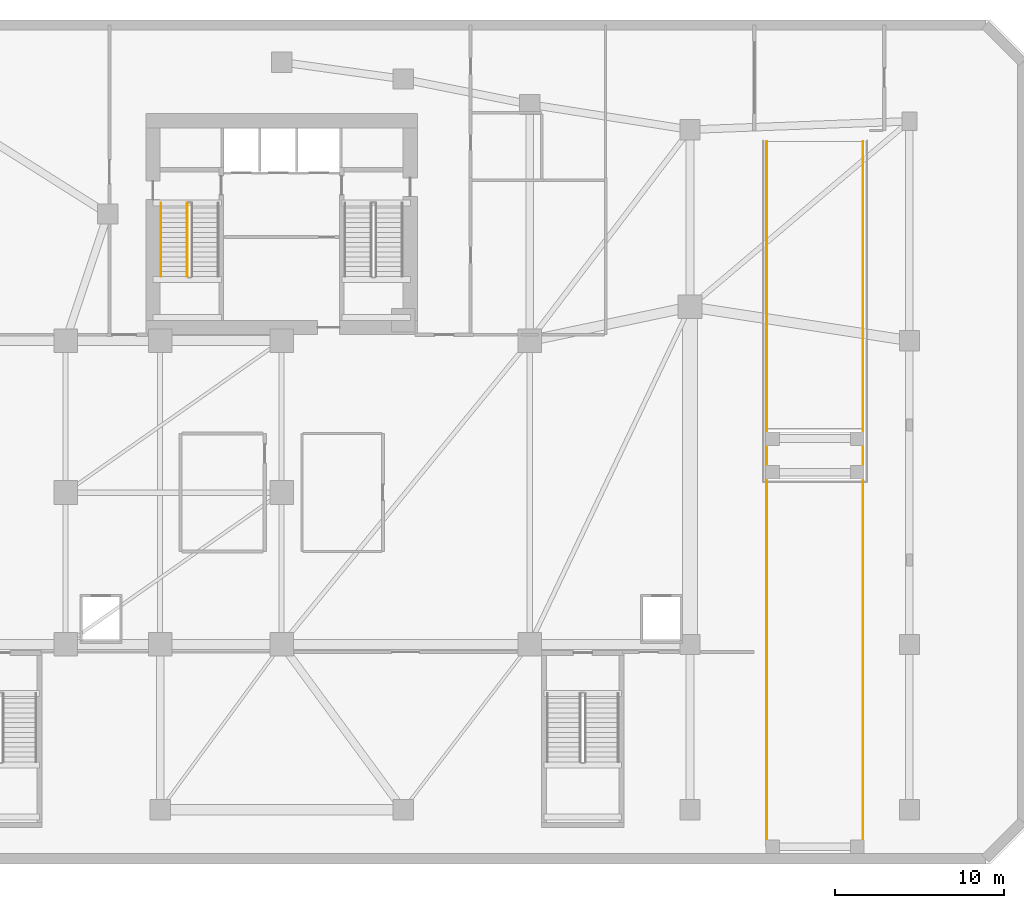
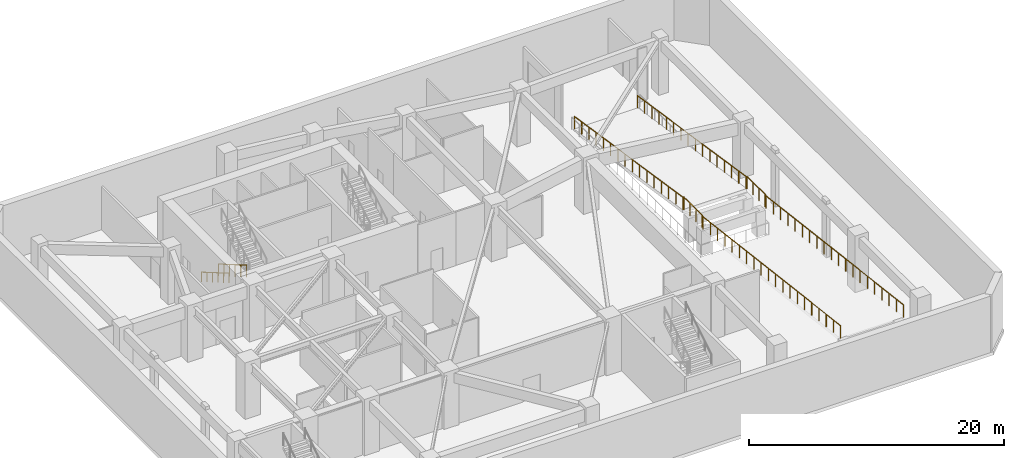
# One storey, part 7 of 9: 4 railings.
"""IFC4 building model written with IfcOpenShell, lengths in metres."""

from ifc_helpers import new_model, si_unit, direction, frame, origin, origin_2d, place, context, subcontext, project, spatial, circle, extrude, material, type_object, element, save


model = new_model("IFC4")

# Units and contexts
model_context = context("Model", 3, precision=1e-05, world=origin(), true_north=direction((0.0, 1.0)))
body_context = subcontext(model_context, "Body", "Model", "MODEL_VIEW")
ifc_project = project(units=[si_unit("LENGTHUNIT", "METRE"), si_unit("AREAUNIT", "SQUARE_METRE"), si_unit("VOLUMEUNIT", "CUBIC_METRE"), si_unit("PLANEANGLEUNIT", "RADIAN"), si_unit("MASSUNIT", "GRAM", prefix="KILO")], contexts=[model_context])

# Site, building, storey
site_placement = place(None, origin())
site = spatial("IfcSite", under=ifc_project, at=site_placement, CompositionType="ELEMENT")
building_placement = place(site_placement, origin())
building = spatial("IfcBuilding", under=site, at=building_placement, Name="Calvemar Wedge Station Tower", CompositionType="ELEMENT")
storey_placement = place(building_placement, frame((0.0, 0.0, -5.39990234375)))
storey = spatial("IfcBuildingStorey", under=building, at=storey_placement, Name="B01", CompositionType="ELEMENT", Elevation=-5.39990234375)

# Railings
ifc_material_1 = material(Name="Stainless steel AISI 316L", Category="steel")
railing_type_1 = type_object("IfcRailingType", Name="RL-HANDRAIL-920", PredefinedType="HANDRAIL", material=ifc_material_1)
railing_1_placement = place(storey_placement, frame((16.64990234375, 41.14990234375, 0.168701171875)))
element("IfcRailing", 1, at=railing_1_placement, inside=storey, type_object=railing_type_1, Name="B01 ST-C1 stair handrail 1", PredefinedType="HANDRAIL", context=body_context, shape_type="SweptSolid", body=[
    extrude(circle(Radius=0.02392578125, at=origin_2d()), frame((0.0, 0.0, 0.89599609375), z_axis=(0.0, -0.864311530196, 0.502956835891), x_axis=(1.0, 0.0, 0.0)), (0.0, 0.0, 1.0), 5.03271484375),
    extrude(circle(Radius=0.02099609375, at=origin_2d()), origin(), (0.0, 0.0, 1.0), 0.871826171875),
    extrude(circle(Radius=0.02099609375, at=origin_2d()), frame((0.0, -0.869873046875, 0.50634765625)), (0.0, 0.0, 1.0), 0.871826171875),
    extrude(circle(Radius=0.02099609375, at=origin_2d()), frame((0.0, -1.739990234375, 1.012451171875)), (0.0, 0.0, 1.0), 0.871826171875),
    extrude(circle(Radius=0.02099609375, at=origin_2d()), frame((0.0, -2.60986328125, 1.518798828125)), (0.0, 0.0, 1.0), 0.871826171875),
    extrude(circle(Radius=0.02099609375, at=origin_2d()), frame((0.0, -3.47998046875, 2.02490234375)), (0.0, 0.0, 1.0), 0.871826171875),
    extrude(circle(Radius=0.02099609375, at=origin_2d()), frame((0.0, -4.349853515625, 2.53125)), (0.0, 0.0, 1.0), 0.871826171875),
])
ifc_material_2 = material(Name="Painted steel guardrail ASTM A500 Grade C", Category="steel")
railing_type_2 = type_object("IfcRailingType", Name="RL-STAIR-GUARD-1150", PredefinedType="GUARDRAIL", material=ifc_material_2)
railing_2_placement = place(storey_placement, frame((18.2099609375, 41.14990234375, 0.168701171875)))
element("IfcRailing", 2, at=railing_2_placement, inside=storey, type_object=railing_type_2, Name="B01 ST-C1 stair guard 1", PredefinedType="GUARDRAIL", context=body_context, shape_type="SweptSolid", body=[
    extrude(circle(Radius=0.02392578125, at=origin_2d()), frame((0.0, 0.0, 1.1259765625), z_axis=(0.0, -0.864311530196, 0.502956835891), x_axis=(1.0, 0.0, 0.0)), (0.0, 0.0, 1.0), 5.03271484375),
    extrude(circle(Radius=0.02099609375, at=origin_2d()), origin(), (0.0, 0.0, 1.0), 1.101806640625),
    extrude(circle(Radius=0.02099609375, at=origin_2d()), frame((0.0, -0.869873046875, 0.50634765625)), (0.0, 0.0, 1.0), 1.101806640625),
    extrude(circle(Radius=0.02099609375, at=origin_2d()), frame((0.0, -1.739990234375, 1.012451171875)), (0.0, 0.0, 1.0), 1.101806640625),
    extrude(circle(Radius=0.02099609375, at=origin_2d()), frame((0.0, -2.60986328125, 1.518798828125)), (0.0, 0.0, 1.0), 1.101806640625),
    extrude(circle(Radius=0.02099609375, at=origin_2d()), frame((0.0, -3.47998046875, 2.02490234375)), (0.0, 0.0, 1.0), 1.101806640625),
    extrude(circle(Radius=0.02099609375, at=origin_2d()), frame((0.0, -4.349853515625, 2.53125)), (0.0, 0.0, 1.0), 1.101806640625),
])
railing_3_placement = place(storey_placement, frame((52.550048828125, 44.800048828125, 0.0)))
element("IfcRailing", 3, at=railing_3_placement, inside=storey, type_object=railing_type_2, Name="B01 Vehicle Ramp VR-1 Continuous Side Guardrail W", PredefinedType="GUARDRAIL", context=body_context, shape_type="SweptSolid", body=[
    extrude(circle(Radius=0.02392578125, at=origin_2d()), frame((0.0, 0.0, 1.17578125), z_axis=(0.0, -0.988620212831, 0.150432957766), x_axis=(1.0, 0.0, 0.0)), (0.0, 0.0, 1.0), 17.2158203125),
    extrude(circle(Radius=0.02392578125, at=origin_2d()), frame((0.0, -17.02001953125, 3.765625), z_axis=(0.0, -0.852966983083, 0.521964870245), x_axis=(1.0, 0.0, 0.0)), (0.0, 0.0, 1.0), 0.2109375),
    extrude(circle(Radius=0.02392578125, at=origin_2d()), frame((0.0, -17.199951171875, 3.8759765625), z_axis=(0.0, -1.0, 0.0), x_axis=(1.0, 0.0, 0.0)), (0.0, 0.0, 1.0), 2.800048828125),
    extrude(circle(Radius=0.02392578125, at=origin_2d()), frame((0.0, -20.0, 3.8759765625), z_axis=(0.0, -0.948554514657, -0.316613854282), x_axis=(1.0, 0.0, 0.0)), (0.0, 0.0, 1.0), 0.189697265625),
    extrude(circle(Radius=0.02392578125, at=origin_2d()), frame((0.0, -20.179931640625, 3.81591796875), z_axis=(0.0, -0.992538184776, 0.121934210791), x_axis=(1.0, 0.0, 0.0)), (0.0, 0.0, 1.0), 21.732177734375),
    extrude(circle(Radius=0.02099609375, at=origin_2d()), origin(), (0.0, 0.0, 1.0), 1.15185546875),
    extrude(circle(Radius=0.02099609375, at=origin_2d()), frame((0.0, -1.134765625, 0.172607421875)), (0.0, 0.0, 1.0), 1.15185546875),
    extrude(circle(Radius=0.02099609375, at=origin_2d()), frame((0.0, -2.269287109375, 0.34521484375)), (0.0, 0.0, 1.0), 1.15185546875),
    extrude(circle(Radius=0.02099609375, at=origin_2d()), frame((0.0, -3.404052734375, 0.51806640625)), (0.0, 0.0, 1.0), 1.15185546875),
    extrude(circle(Radius=0.02099609375, at=origin_2d()), frame((0.0, -4.53857421875, 0.690673828125)), (0.0, 0.0, 1.0), 1.15185546875),
    extrude(circle(Radius=0.02099609375, at=origin_2d()), frame((0.0, -5.67333984375, 0.86328125)), (0.0, 0.0, 1.0), 1.15185546875),
    extrude(circle(Radius=0.02099609375, at=origin_2d()), frame((0.0, -6.80810546875, 1.035888671875)), (0.0, 0.0, 1.0), 1.15185546875),
    extrude(circle(Radius=0.02099609375, at=origin_2d()), frame((0.0, -7.942626953125, 1.20849609375)), (0.0, 0.0, 1.0), 1.15185546875),
    extrude(circle(Radius=0.02099609375, at=origin_2d()), frame((0.0, -9.077392578125, 1.38134765625)), (0.0, 0.0, 1.0), 1.15185546875),
    extrude(circle(Radius=0.02099609375, at=origin_2d()), frame((0.0, -10.2119140625, 1.553955078125)), (0.0, 0.0, 1.0), 1.15185546875),
    extrude(circle(Radius=0.02099609375, at=origin_2d()), frame((0.0, -11.3466796875, 1.7265625)), (0.0, 0.0, 1.0), 1.15185546875),
    extrude(circle(Radius=0.02099609375, at=origin_2d()), frame((0.0, -12.4814453125, 1.899169921875)), (0.0, 0.0, 1.0), 1.15185546875),
    extrude(circle(Radius=0.02099609375, at=origin_2d()), frame((0.0, -13.615966796875, 2.07177734375)), (0.0, 0.0, 1.0), 1.15185546875),
    extrude(circle(Radius=0.02099609375, at=origin_2d()), frame((0.0, -14.750732421875, 2.24462890625)), (0.0, 0.0, 1.0), 1.15185546875),
    extrude(circle(Radius=0.02099609375, at=origin_2d()), frame((0.0, -15.88525390625, 2.417236328125)), (0.0, 0.0, 1.0), 1.15185546875),
    extrude(circle(Radius=0.02099609375, at=origin_2d()), frame((0.0, -17.02001953125, 2.58984375)), (0.0, 0.0, 1.0), 1.15185546875),
    extrude(circle(Radius=0.02099609375, at=origin_2d()), frame((0.0, -17.199951171875, 2.699951171875)), (0.0, 0.0, 1.0), 1.15185546875),
    extrude(circle(Radius=0.02099609375, at=origin_2d()), frame((0.0, -18.13330078125, 2.699951171875)), (0.0, 0.0, 1.0), 1.15185546875),
    extrude(circle(Radius=0.02099609375, at=origin_2d()), frame((0.0, -19.066650390625, 2.699951171875)), (0.0, 0.0, 1.0), 1.15185546875),
    extrude(circle(Radius=0.02099609375, at=origin_2d()), frame((0.0, -20.0, 2.699951171875)), (0.0, 0.0, 1.0), 1.15185546875),
    extrude(circle(Radius=0.02099609375, at=origin_2d()), frame((0.0, -20.179931640625, 2.639892578125)), (0.0, 0.0, 1.0), 1.15185546875),
    extrude(circle(Radius=0.02099609375, at=origin_2d()), frame((0.0, -21.315185546875, 2.779296875)), (0.0, 0.0, 1.0), 1.15185546875),
    extrude(circle(Radius=0.02099609375, at=origin_2d()), frame((0.0, -22.450439453125, 2.9189453125)), (0.0, 0.0, 1.0), 1.15185546875),
    extrude(circle(Radius=0.02099609375, at=origin_2d()), frame((0.0, -23.585693359375, 3.058349609375)), (0.0, 0.0, 1.0), 1.15185546875),
    extrude(circle(Radius=0.02099609375, at=origin_2d()), frame((0.0, -24.720947265625, 3.19775390625)), (0.0, 0.0, 1.0), 1.15185546875),
    extrude(circle(Radius=0.02099609375, at=origin_2d()), frame((0.0, -25.856201171875, 3.337158203125)), (0.0, 0.0, 1.0), 1.15185546875),
    extrude(circle(Radius=0.02099609375, at=origin_2d()), frame((0.0, -26.991455078125, 3.476806640625)), (0.0, 0.0, 1.0), 1.15185546875),
    extrude(circle(Radius=0.02099609375, at=origin_2d()), frame((0.0, -28.126708984375, 3.6162109375)), (0.0, 0.0, 1.0), 1.15185546875),
    extrude(circle(Radius=0.02099609375, at=origin_2d()), frame((0.0, -29.261962890625, 3.755615234375)), (0.0, 0.0, 1.0), 1.15185546875),
    extrude(circle(Radius=0.02099609375, at=origin_2d()), frame((0.0, -30.397216796875, 3.89501953125)), (0.0, 0.0, 1.0), 1.15185546875),
    extrude(circle(Radius=0.02099609375, at=origin_2d()), frame((0.0, -31.53271484375, 4.03466796875)), (0.0, 0.0, 1.0), 1.15185546875),
    extrude(circle(Radius=0.02099609375, at=origin_2d()), frame((0.0, -32.66796875, 4.174072265625)), (0.0, 0.0, 1.0), 1.15185546875),
    extrude(circle(Radius=0.02099609375, at=origin_2d()), frame((0.0, -33.80322265625, 4.3134765625)), (0.0, 0.0, 1.0), 1.15185546875),
    extrude(circle(Radius=0.02099609375, at=origin_2d()), frame((0.0, -34.9384765625, 4.452880859375)), (0.0, 0.0, 1.0), 1.15185546875),
    extrude(circle(Radius=0.02099609375, at=origin_2d()), frame((0.0, -36.07373046875, 4.592529296875)), (0.0, 0.0, 1.0), 1.15185546875),
    extrude(circle(Radius=0.02099609375, at=origin_2d()), frame((0.0, -37.208984375, 4.73193359375)), (0.0, 0.0, 1.0), 1.15185546875),
    extrude(circle(Radius=0.02099609375, at=origin_2d()), frame((0.0, -38.34423828125, 4.871337890625)), (0.0, 0.0, 1.0), 1.15185546875),
    extrude(circle(Radius=0.02099609375, at=origin_2d()), frame((0.0, -39.4794921875, 5.0107421875)), (0.0, 0.0, 1.0), 1.15185546875),
    extrude(circle(Radius=0.02099609375, at=origin_2d()), frame((0.0, -40.61474609375, 5.150390625)), (0.0, 0.0, 1.0), 1.15185546875),
    extrude(circle(Radius=0.02099609375, at=origin_2d()), frame((0.0, -41.75, 5.289794921875)), (0.0, 0.0, 1.0), 1.15185546875),
])
railing_4_placement = place(storey_placement, frame((58.25, 44.800048828125, 0.0)))
element("IfcRailing", 4, at=railing_4_placement, inside=storey, type_object=railing_type_2, Name="B01 Vehicle Ramp VR-1 Continuous Side Guardrail E", PredefinedType="GUARDRAIL", context=body_context, shape_type="SweptSolid", body=[
    extrude(circle(Radius=0.02392578125, at=origin_2d()), frame((0.0, 0.0, 1.17578125), z_axis=(0.0, -0.988620212831, 0.150432957766), x_axis=(1.0, 0.0, 0.0)), (0.0, 0.0, 1.0), 17.2158203125),
    extrude(circle(Radius=0.02392578125, at=origin_2d()), frame((0.0, -17.02001953125, 3.765625), z_axis=(0.0, -0.852966983083, 0.521964870245), x_axis=(1.0, 0.0, 0.0)), (0.0, 0.0, 1.0), 0.2109375),
    extrude(circle(Radius=0.02392578125, at=origin_2d()), frame((0.0, -17.199951171875, 3.8759765625), z_axis=(0.0, -1.0, 0.0), x_axis=(1.0, 0.0, 0.0)), (0.0, 0.0, 1.0), 2.800048828125),
    extrude(circle(Radius=0.02392578125, at=origin_2d()), frame((0.0, -20.0, 3.8759765625), z_axis=(0.0, -0.948554514657, -0.316613854282), x_axis=(1.0, 0.0, 0.0)), (0.0, 0.0, 1.0), 0.189697265625),
    extrude(circle(Radius=0.02392578125, at=origin_2d()), frame((0.0, -20.179931640625, 3.81591796875), z_axis=(0.0, -0.992538184776, 0.121934210791), x_axis=(1.0, 0.0, 0.0)), (0.0, 0.0, 1.0), 21.732177734375),
    extrude(circle(Radius=0.02099609375, at=origin_2d()), origin(), (0.0, 0.0, 1.0), 1.15185546875),
    extrude(circle(Radius=0.02099609375, at=origin_2d()), frame((0.0, -1.134765625, 0.172607421875)), (0.0, 0.0, 1.0), 1.15185546875),
    extrude(circle(Radius=0.02099609375, at=origin_2d()), frame((0.0, -2.269287109375, 0.34521484375)), (0.0, 0.0, 1.0), 1.15185546875),
    extrude(circle(Radius=0.02099609375, at=origin_2d()), frame((0.0, -3.404052734375, 0.51806640625)), (0.0, 0.0, 1.0), 1.15185546875),
    extrude(circle(Radius=0.02099609375, at=origin_2d()), frame((0.0, -4.53857421875, 0.690673828125)), (0.0, 0.0, 1.0), 1.15185546875),
    extrude(circle(Radius=0.02099609375, at=origin_2d()), frame((0.0, -5.67333984375, 0.86328125)), (0.0, 0.0, 1.0), 1.15185546875),
    extrude(circle(Radius=0.02099609375, at=origin_2d()), frame((0.0, -6.80810546875, 1.035888671875)), (0.0, 0.0, 1.0), 1.15185546875),
    extrude(circle(Radius=0.02099609375, at=origin_2d()), frame((0.0, -7.942626953125, 1.20849609375)), (0.0, 0.0, 1.0), 1.15185546875),
    extrude(circle(Radius=0.02099609375, at=origin_2d()), frame((0.0, -9.077392578125, 1.38134765625)), (0.0, 0.0, 1.0), 1.15185546875),
    extrude(circle(Radius=0.02099609375, at=origin_2d()), frame((0.0, -10.2119140625, 1.553955078125)), (0.0, 0.0, 1.0), 1.15185546875),
    extrude(circle(Radius=0.02099609375, at=origin_2d()), frame((0.0, -11.3466796875, 1.7265625)), (0.0, 0.0, 1.0), 1.15185546875),
    extrude(circle(Radius=0.02099609375, at=origin_2d()), frame((0.0, -12.4814453125, 1.899169921875)), (0.0, 0.0, 1.0), 1.15185546875),
    extrude(circle(Radius=0.02099609375, at=origin_2d()), frame((0.0, -13.615966796875, 2.07177734375)), (0.0, 0.0, 1.0), 1.15185546875),
    extrude(circle(Radius=0.02099609375, at=origin_2d()), frame((0.0, -14.750732421875, 2.24462890625)), (0.0, 0.0, 1.0), 1.15185546875),
    extrude(circle(Radius=0.02099609375, at=origin_2d()), frame((0.0, -15.88525390625, 2.417236328125)), (0.0, 0.0, 1.0), 1.15185546875),
    extrude(circle(Radius=0.02099609375, at=origin_2d()), frame((0.0, -17.02001953125, 2.58984375)), (0.0, 0.0, 1.0), 1.15185546875),
    extrude(circle(Radius=0.02099609375, at=origin_2d()), frame((0.0, -17.199951171875, 2.699951171875)), (0.0, 0.0, 1.0), 1.15185546875),
    extrude(circle(Radius=0.02099609375, at=origin_2d()), frame((0.0, -18.13330078125, 2.699951171875)), (0.0, 0.0, 1.0), 1.15185546875),
    extrude(circle(Radius=0.02099609375, at=origin_2d()), frame((0.0, -19.066650390625, 2.699951171875)), (0.0, 0.0, 1.0), 1.15185546875),
    extrude(circle(Radius=0.02099609375, at=origin_2d()), frame((0.0, -20.0, 2.699951171875)), (0.0, 0.0, 1.0), 1.15185546875),
    extrude(circle(Radius=0.02099609375, at=origin_2d()), frame((0.0, -20.179931640625, 2.639892578125)), (0.0, 0.0, 1.0), 1.15185546875),
    extrude(circle(Radius=0.02099609375, at=origin_2d()), frame((0.0, -21.315185546875, 2.779296875)), (0.0, 0.0, 1.0), 1.15185546875),
    extrude(circle(Radius=0.02099609375, at=origin_2d()), frame((0.0, -22.450439453125, 2.9189453125)), (0.0, 0.0, 1.0), 1.15185546875),
    extrude(circle(Radius=0.02099609375, at=origin_2d()), frame((0.0, -23.585693359375, 3.058349609375)), (0.0, 0.0, 1.0), 1.15185546875),
    extrude(circle(Radius=0.02099609375, at=origin_2d()), frame((0.0, -24.720947265625, 3.19775390625)), (0.0, 0.0, 1.0), 1.15185546875),
    extrude(circle(Radius=0.02099609375, at=origin_2d()), frame((0.0, -25.856201171875, 3.337158203125)), (0.0, 0.0, 1.0), 1.15185546875),
    extrude(circle(Radius=0.02099609375, at=origin_2d()), frame((0.0, -26.991455078125, 3.476806640625)), (0.0, 0.0, 1.0), 1.15185546875),
    extrude(circle(Radius=0.02099609375, at=origin_2d()), frame((0.0, -28.126708984375, 3.6162109375)), (0.0, 0.0, 1.0), 1.15185546875),
    extrude(circle(Radius=0.02099609375, at=origin_2d()), frame((0.0, -29.261962890625, 3.755615234375)), (0.0, 0.0, 1.0), 1.15185546875),
    extrude(circle(Radius=0.02099609375, at=origin_2d()), frame((0.0, -30.397216796875, 3.89501953125)), (0.0, 0.0, 1.0), 1.15185546875),
    extrude(circle(Radius=0.02099609375, at=origin_2d()), frame((0.0, -31.53271484375, 4.03466796875)), (0.0, 0.0, 1.0), 1.15185546875),
    extrude(circle(Radius=0.02099609375, at=origin_2d()), frame((0.0, -32.66796875, 4.174072265625)), (0.0, 0.0, 1.0), 1.15185546875),
    extrude(circle(Radius=0.02099609375, at=origin_2d()), frame((0.0, -33.80322265625, 4.3134765625)), (0.0, 0.0, 1.0), 1.15185546875),
    extrude(circle(Radius=0.02099609375, at=origin_2d()), frame((0.0, -34.9384765625, 4.452880859375)), (0.0, 0.0, 1.0), 1.15185546875),
    extrude(circle(Radius=0.02099609375, at=origin_2d()), frame((0.0, -36.07373046875, 4.592529296875)), (0.0, 0.0, 1.0), 1.15185546875),
    extrude(circle(Radius=0.02099609375, at=origin_2d()), frame((0.0, -37.208984375, 4.73193359375)), (0.0, 0.0, 1.0), 1.15185546875),
    extrude(circle(Radius=0.02099609375, at=origin_2d()), frame((0.0, -38.34423828125, 4.871337890625)), (0.0, 0.0, 1.0), 1.15185546875),
    extrude(circle(Radius=0.02099609375, at=origin_2d()), frame((0.0, -39.4794921875, 5.0107421875)), (0.0, 0.0, 1.0), 1.15185546875),
    extrude(circle(Radius=0.02099609375, at=origin_2d()), frame((0.0, -40.61474609375, 5.150390625)), (0.0, 0.0, 1.0), 1.15185546875),
    extrude(circle(Radius=0.02099609375, at=origin_2d()), frame((0.0, -41.75, 5.289794921875)), (0.0, 0.0, 1.0), 1.15185546875),
])

save(model, "model.ifc")
